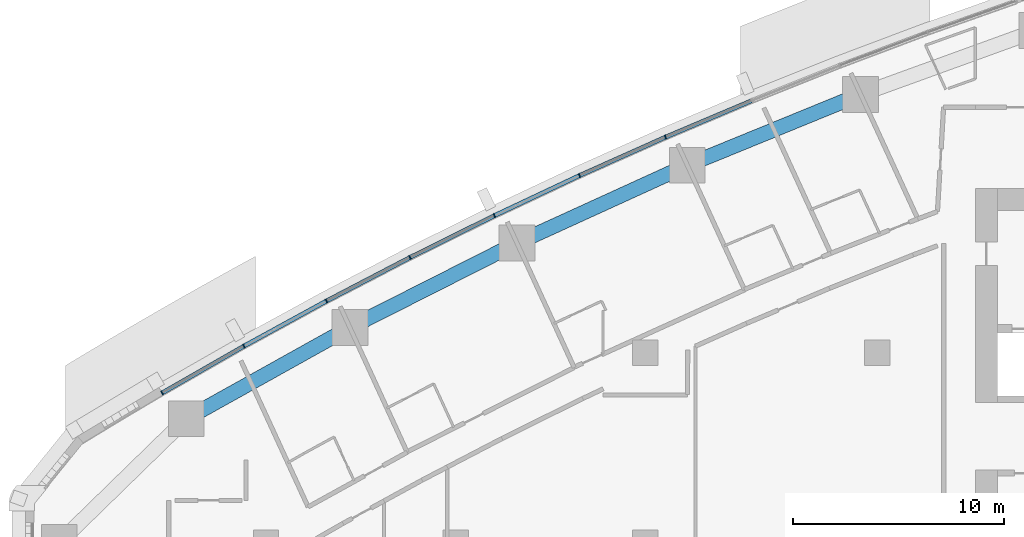
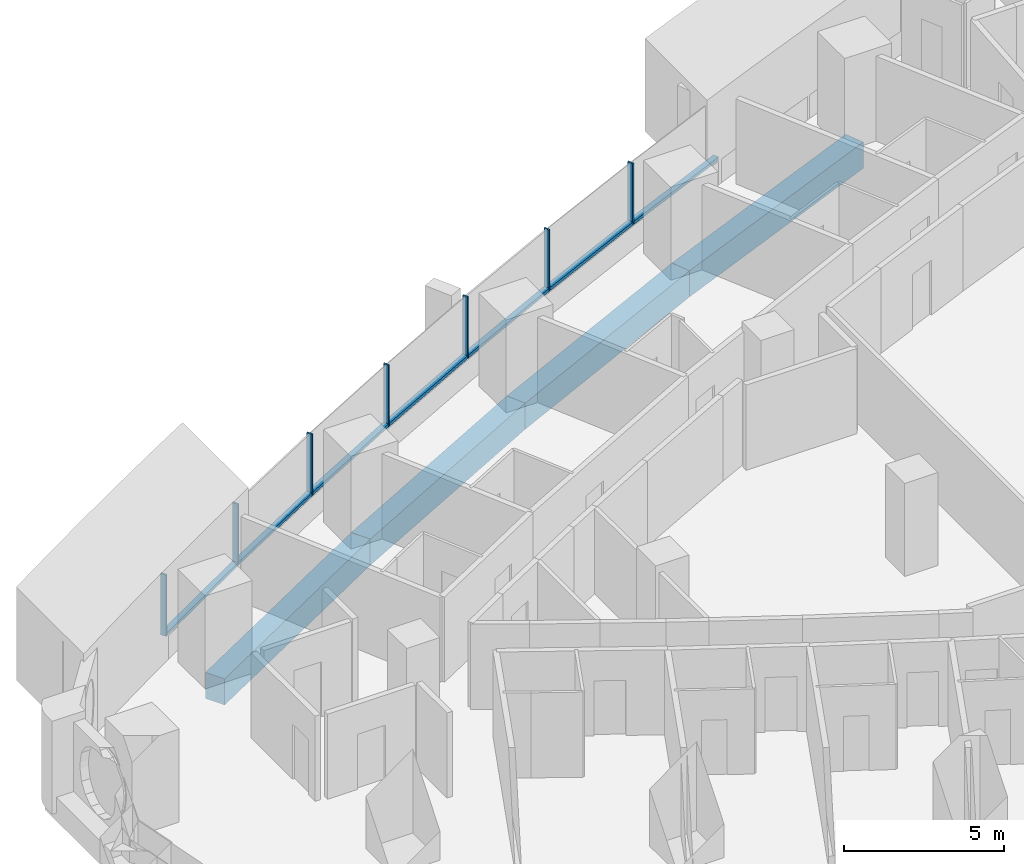
# One storey, part 5 of 17: 14 members, 4 beams, 4 elements without a shape of their own.
"""IFC4 building model written with IfcOpenShell, lengths in metres."""

from ifc_helpers import new_model, si_unit, direction, frame, origin, origin_2d, place, context, subcontext, project, spatial, rectangle, extrude, material, layer, layer_set, material_profile, profile_set, type_object, element, aggregate, save


model = new_model("IFC4")

# Units and contexts
model_context = context("Model", 3, precision=1e-05, world=origin(), true_north=direction((0.0, 1.0)))
body_context = subcontext(model_context, "Body", "Model", "MODEL_VIEW")
ifc_project = project(units=[si_unit("LENGTHUNIT", "METRE"), si_unit("AREAUNIT", "SQUARE_METRE"), si_unit("VOLUMEUNIT", "CUBIC_METRE"), si_unit("PLANEANGLEUNIT", "RADIAN"), si_unit("MASSUNIT", "GRAM", prefix="KILO")], contexts=[model_context])

# Site, building, storey
site_placement = place(None, origin())
site = spatial("IfcSite", under=ifc_project, at=site_placement, CompositionType="ELEMENT")
building_placement = place(site_placement, origin())
building = spatial("IfcBuilding", under=site, at=building_placement, Name="Ostrand Prow Hotel Tower", CompositionType="ELEMENT")
storey_placement = place(building_placement, frame((0.0, 0.0, 99.10009765625)))
storey = spatial("IfcBuildingStorey", under=building, at=storey_placement, Name="L23", CompositionType="ELEMENT", Elevation=99.10009765625)

# Beams
ifc_material_1 = material(Name="Concrete C80/95", Category="concrete")
ifc_material_profile_1 = material_profile(ifc_material_1, rectangle(XDim=0.699951171875, YDim=1.0, at=origin_2d()), Name="RC 700x1000")
ifc_profile_set_1 = profile_set([ifc_material_profile_1], Name="Concrete C80/95")
beam_type = type_object("IfcBeamType", Name="Edge beam 700x1000 C80/95", PredefinedType="SPANDREL", material=ifc_profile_set_1)
beam_1_placement = place(storey_placement, frame((44.210693359375, 21.263671875, -0.800048828125), z_axis=(-0.925612172894, -0.378473387955, 0.0), x_axis=(0.378473387955, -0.925612172894, 0.0)))
element("IfcBeam", 1, at=beam_1_placement, inside=storey, type_object=beam_type, Name="Edge beam N2-N3", PredefinedType="SPANDREL", context=body_context, shape_type="SweptSolid", body=[
    extrude(rectangle(XDim=0.699951171875, YDim=1.0, at=origin_2d()), origin(), (0.0, 0.0, 1.0), 8.88330078125),
])
beam_2_placement = place(storey_placement, frame((35.98828125, 17.901611328125, -0.800048828125), z_axis=(-0.909681006953, -0.415307675813, 0.0), x_axis=(0.415307675813, -0.909681006953, 0.0)))
element("IfcBeam", 2, at=beam_2_placement, inside=storey, type_object=beam_type, Name="Edge beam N3-N4", PredefinedType="SPANDREL", context=body_context, shape_type="SweptSolid", body=[
    extrude(rectangle(XDim=0.699951171875, YDim=1.0, at=origin_2d()), origin(), (0.0, 0.0, 1.0), 8.883544921875),
])
beam_3_placement = place(storey_placement, frame((27.906982421875, 14.212158203125, -0.800048828125), z_axis=(-0.892284288592, -0.451473973039, 0.0), x_axis=(0.451473973039, -0.892284288592, 0.0)))
element("IfcBeam", 3, at=beam_3_placement, inside=storey, type_object=beam_type, Name="Edge beam N4-N5", PredefinedType="SPANDREL", context=body_context, shape_type="SweptSolid", body=[
    extrude(rectangle(XDim=0.699951171875, YDim=1.0, at=origin_2d()), origin(), (0.0, 0.0, 1.0), 8.883056640625),
])
beam_4_placement = place(storey_placement, frame((19.980712890625, 10.20166015625, -0.800048828125), z_axis=(-0.873452439955, -0.486909473245, 0.0), x_axis=(0.486909473245, -0.873452439955, 0.0)))
element("IfcBeam", 4, at=beam_4_placement, inside=storey, type_object=beam_type, Name="Edge beam N5-N6", PredefinedType="SPANDREL", context=body_context, shape_type="SweptSolid", body=[
    extrude(rectangle(XDim=0.699951171875, YDim=1.0, at=origin_2d()), origin(), (0.0, 0.0, 1.0), 8.883544921875),
])

# Curtain wall, member
ifc_material_2 = material(Name="Insulated glass in bronze anodised frame", Category="glass")
ifc_layer = layer(ifc_material_2, 0.199951171875)
ifc_layer_set = layer_set([ifc_layer], Name="Insulated glass in bronze anodised frame")
curtain_wall_type = type_object("IfcCurtainWallType", Name="Strip curtain wall, fritted glass over bronze spandrel", PredefinedType="NOTDEFINED", material=ifc_layer_set)
curtain_wall_1_placement = place(storey_placement, origin())
curtain_wall_1 = element("IfcCurtainWall", 5, at=curtain_wall_1_placement, inside=storey, type_object=curtain_wall_type, Name="CW1 run CWN2", PredefinedType="NOTDEFINED")
ifc_material_3 = material(Name="Bronze anodised aluminium", Category="aluminium")
ifc_material_profile_2 = material_profile(ifc_material_3, rectangle(XDim=0.199951171875, YDim=0.06005859375, at=origin_2d()), Name="Mullion 60x200 bronze anodised aluminium")
ifc_profile_set_2 = profile_set([ifc_material_profile_2], Name="Bronze anodised aluminium")
member_type_1 = type_object("IfcMemberType", Name="Mullion 60x200 bronze anodised aluminium", PredefinedType="MULLION", material=ifc_profile_set_2)
member_1_placement = place(storey_placement, frame((34.95068359375, 19.233154296875, 0.89990234375), z_axis=(0.0, 0.0, 1.0), x_axis=(0.389506566255, -0.921023688536, 0.0)))
member_1 = element("IfcMember", 6, at=member_1_placement, type_object=member_type_1, Name="CW1 mullion 3", PredefinedType="MULLION", context=body_context, shape_type="SweptSolid", body=[
    extrude(rectangle(XDim=0.199951171875, YDim=0.06005859375, at=origin_2d()), origin(), (0.0, 0.0, 1.0), 2.35009765625),
])

# Curtain wall, members
curtain_wall_2_placement = place(storey_placement, origin())
curtain_wall_2 = element("IfcCurtainWall", 7, at=curtain_wall_2_placement, inside=storey, type_object=curtain_wall_type, Name="CW1 run CWN3", PredefinedType="NOTDEFINED")
member_2_placement = place(storey_placement, frame((30.872802734375, 17.41162109375, 0.89990234375), z_axis=(0.0, 0.0, 1.0), x_axis=(0.426079320162, -0.904685808958, 0.0)))
member_2 = element("IfcMember", 8, at=member_2_placement, type_object=member_type_1, Name="CW1 mullion 2", PredefinedType="MULLION", context=body_context, shape_type="SweptSolid", body=[
    extrude(rectangle(XDim=0.199951171875, YDim=0.06005859375, at=origin_2d()), origin(), (0.0, 0.0, 1.0), 2.35009765625),
])
member_3_placement = place(storey_placement, frame((26.83251953125, 15.508544921875, 0.89990234375), z_axis=(0.0, 0.0, 1.0), x_axis=(0.426079320162, -0.904685808958, 0.0)))
member_3 = element("IfcMember", 9, at=member_3_placement, type_object=member_type_1, Name="CW1 mullion 3", PredefinedType="MULLION", context=body_context, shape_type="SweptSolid", body=[
    extrude(rectangle(XDim=0.199951171875, YDim=0.06005859375, at=origin_2d()), origin(), (0.0, 0.0, 1.0), 2.35009765625),
])

curtain_wall_3_placement = place(storey_placement, origin())
curtain_wall_3 = element("IfcCurtainWall", 10, at=curtain_wall_3_placement, inside=storey, type_object=curtain_wall_type, Name="CW1 run CWN4", PredefinedType="NOTDEFINED")
member_4_placement = place(storey_placement, frame((22.831298828125, 13.525146484375, 0.89990234375), z_axis=(0.0, 0.0, 1.0), x_axis=(0.461968432937, -0.886896367661, 0.0)))
member_4 = element("IfcMember", 11, at=member_4_placement, type_object=member_type_1, Name="CW1 mullion 2", PredefinedType="MULLION", context=body_context, shape_type="SweptSolid", body=[
    extrude(rectangle(XDim=0.199951171875, YDim=0.06005859375, at=origin_2d()), origin(), (0.0, 0.0, 1.0), 2.35009765625),
])
member_5_placement = place(storey_placement, frame((18.870361328125, 11.4619140625, 0.89990234375), z_axis=(0.0, 0.0, 1.0), x_axis=(0.461968432937, -0.886896367661, 0.0)))
member_5 = element("IfcMember", 12, at=member_5_placement, type_object=member_type_1, Name="CW1 mullion 3", PredefinedType="MULLION", context=body_context, shape_type="SweptSolid", body=[
    extrude(rectangle(XDim=0.199951171875, YDim=0.06005859375, at=origin_2d()), origin(), (0.0, 0.0, 1.0), 2.35009765625),
])

curtain_wall_4_placement = place(storey_placement, origin())
curtain_wall_4 = element("IfcCurtainWall", 13, at=curtain_wall_4_placement, inside=storey, type_object=curtain_wall_type, Name="CW1 run CWN5", PredefinedType="NOTDEFINED")
member_6_placement = place(storey_placement, frame((14.951416015625, 9.320068359375, 0.89990234375), z_axis=(0.0, 0.0, 1.0), x_axis=(0.497114806368, -0.867684775301, 0.0)))
member_6 = element("IfcMember", 14, at=member_6_placement, type_object=member_type_1, Name="CW1 mullion 2", PredefinedType="MULLION", context=body_context, shape_type="SweptSolid", body=[
    extrude(rectangle(XDim=0.199951171875, YDim=0.06005859375, at=origin_2d()), origin(), (0.0, 0.0, 1.0), 2.35009765625),
])
member_7_placement = place(storey_placement, frame((11.076416015625, 7.099853515625, 0.89990234375), z_axis=(0.0, 0.0, 1.0), x_axis=(0.497114806368, -0.867684775301, 0.0)))
member_7 = element("IfcMember", 15, at=member_7_placement, type_object=member_type_1, Name="CW1 mullion 3", PredefinedType="MULLION", context=body_context, shape_type="SweptSolid", body=[
    extrude(rectangle(XDim=0.199951171875, YDim=0.06005859375, at=origin_2d()), origin(), (0.0, 0.0, 1.0), 2.35009765625),
])

# Member
ifc_material_4 = material(Name="Bronze anodised aluminium", Category="aluminium")
ifc_material_profile_3 = material_profile(ifc_material_4, rectangle(XDim=0.199951171875, YDim=0.1201171875, at=origin_2d()), Name="Transom 120x200 bronze anodised aluminium")
ifc_profile_set_3 = profile_set([ifc_material_profile_3], Name="Bronze anodised aluminium")
member_type_2 = type_object("IfcMemberType", Name="Transom 120x200 bronze anodised aluminium", PredefinedType="USERDEFINED", material=ifc_profile_set_3)
member_8_placement = place(storey_placement, frame((39.0361328125, 20.9609375, 0.9599609375), z_axis=(-0.921006250528, -0.389547797438, 0.0), x_axis=(0.389547797438, -0.921006250528, 0.0)))
member_8 = element("IfcMember", 16, at=member_8_placement, type_object=member_type_2, Name="CW1 transom 2.1", ObjectType="TRANSOM", PredefinedType="USERDEFINED", context=body_context, shape_type="SweptSolid", body=[
    extrude(rectangle(XDim=0.199951171875, YDim=0.1201171875, at=origin_2d()), origin(), (0.0, 0.0, 1.0), 4.406005859375),
])

aggregate(curtain_wall_1, [member_1, member_8])

member_9_placement = place(storey_placement, frame((34.923095703125, 19.220703125, 0.9599609375), z_axis=(-0.913030665163, -0.407890922271, 0.0), x_axis=(0.407890922271, -0.913030665163, 0.0)))
member_9 = element("IfcMember", 17, at=member_9_placement, type_object=member_type_2, Name="CW1 transom 1.1", ObjectType="TRANSOM", PredefinedType="USERDEFINED", context=body_context, shape_type="SweptSolid", body=[
    extrude(rectangle(XDim=0.199951171875, YDim=0.1201171875, at=origin_2d()), origin(), (0.0, 0.0, 1.0), 4.40576171875),
])

member_10_placement = place(storey_placement, frame((30.845703125, 17.398681640625, 0.9599609375), z_axis=(-0.904696854963, -0.42605586561, 0.0), x_axis=(0.42605586561, -0.904696854963, 0.0)))
member_10 = element("IfcMember", 18, at=member_10_placement, type_object=member_type_2, Name="CW1 transom 2.1", ObjectType="TRANSOM", PredefinedType="USERDEFINED", context=body_context, shape_type="SweptSolid", body=[
    extrude(rectangle(XDim=0.199951171875, YDim=0.1201171875, at=origin_2d()), origin(), (0.0, 0.0, 1.0), 4.406005859375),
])

aggregate(curtain_wall_2, [member_2, member_3, member_9, member_10])

member_11_placement = place(storey_placement, frame((26.8056640625, 15.495361328125, 0.9599609375), z_axis=(-0.895962348168, -0.444130015497, 0.0), x_axis=(0.444130015497, -0.895962348168, 0.0)))
member_11 = element("IfcMember", 19, at=member_11_placement, type_object=member_type_2, Name="CW1 transom 1.1", ObjectType="TRANSOM", PredefinedType="USERDEFINED", context=body_context, shape_type="SweptSolid", body=[
    extrude(rectangle(XDim=0.199951171875, YDim=0.1201171875, at=origin_2d()), origin(), (0.0, 0.0, 1.0), 4.406005859375),
])

member_12_placement = place(storey_placement, frame((22.8046875, 13.51123046875, 0.9599609375), z_axis=(-0.886901787206, -0.461958028235, 0.0), x_axis=(0.461958028235, -0.886901787206, 0.0)))
member_12 = element("IfcMember", 20, at=member_12_placement, type_object=member_type_2, Name="CW1 transom 2.1", ObjectType="TRANSOM", PredefinedType="USERDEFINED", context=body_context, shape_type="SweptSolid", body=[
    extrude(rectangle(XDim=0.199951171875, YDim=0.1201171875, at=origin_2d()), origin(), (0.0, 0.0, 1.0), 4.406005859375),
])

aggregate(curtain_wall_3, [member_4, member_5, member_11, member_12])

member_13_placement = place(storey_placement, frame((18.843994140625, 11.44775390625, 0.9599609375), z_axis=(-0.877471714137, -0.479628388328, 0.0), x_axis=(0.479628388328, -0.877471714137, 0.0)))
member_13 = element("IfcMember", 21, at=member_13_placement, type_object=member_type_2, Name="CW1 transom 1.1", ObjectType="TRANSOM", PredefinedType="USERDEFINED", context=body_context, shape_type="SweptSolid", body=[
    extrude(rectangle(XDim=0.199951171875, YDim=0.1201171875, at=origin_2d()), origin(), (0.0, 0.0, 1.0), 4.406005859375),
])

member_14_placement = place(storey_placement, frame((14.925537109375, 9.30517578125, 0.9599609375), z_axis=(-0.86766970623, -0.497141107625, 0.0), x_axis=(0.497141107625, -0.86766970623, 0.0)))
member_14 = element("IfcMember", 22, at=member_14_placement, type_object=member_type_2, Name="CW1 transom 2.1", ObjectType="TRANSOM", PredefinedType="USERDEFINED", context=body_context, shape_type="SweptSolid", body=[
    extrude(rectangle(XDim=0.199951171875, YDim=0.1201171875, at=origin_2d()), origin(), (0.0, 0.0, 1.0), 4.406005859375),
])

aggregate(curtain_wall_4, [member_6, member_7, member_13, member_14])

save(model, "model.ifc")
